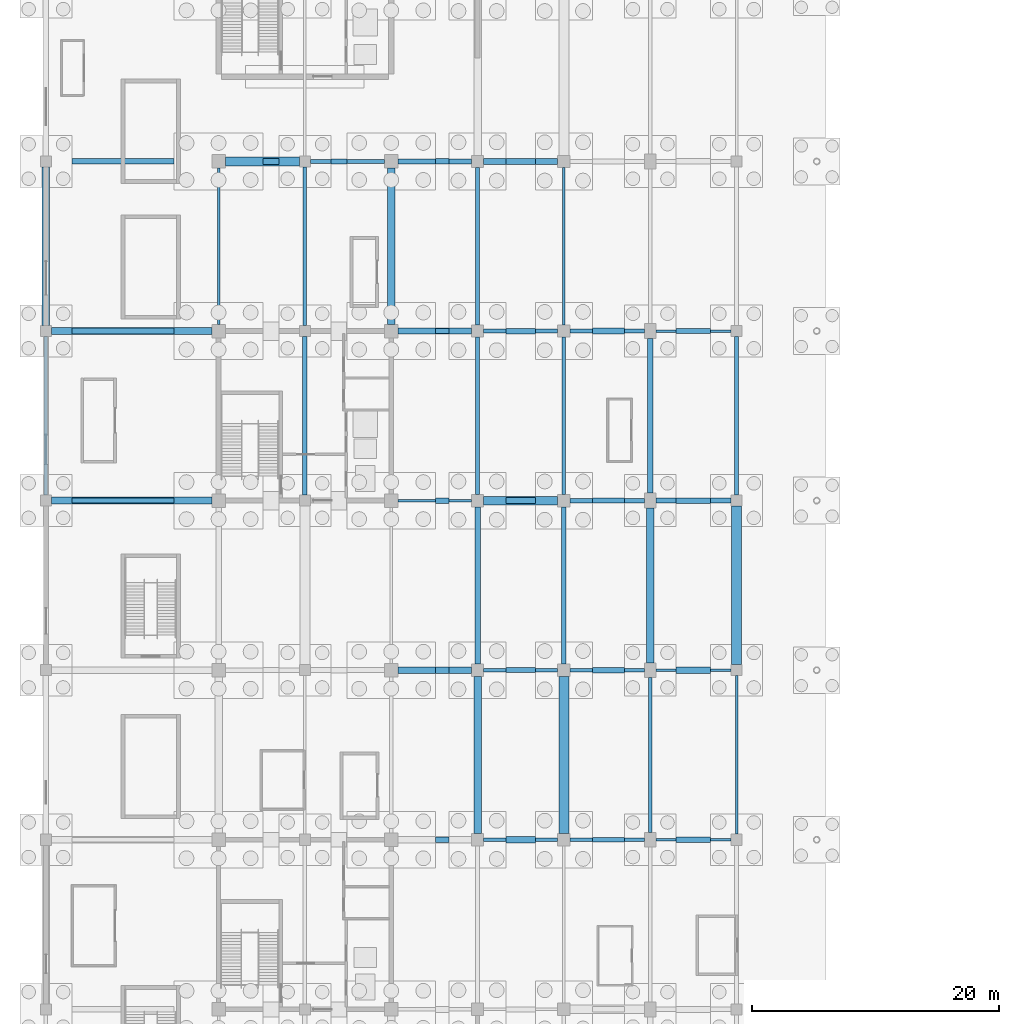
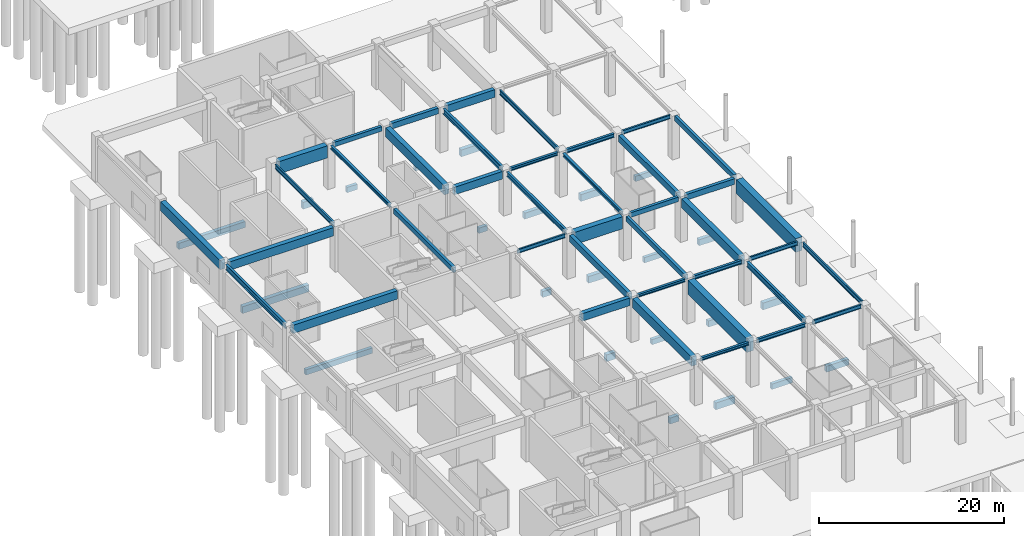
# One storey, part 31 of 62: 64 beams.
"""IFC4 building model written with IfcOpenShell, lengths in metres."""

from ifc_helpers import new_model, si_unit, direction, frame, origin, origin_2d, place, context, subcontext, project, spatial, rectangle, i_section, extrude, material, material_profile, profile_set, type_object, element, save


model = new_model("IFC4")

# Units and contexts
model_context = context("Model", 3, precision=1e-05, world=origin(), true_north=direction((0.0, 1.0)))
body_context = subcontext(model_context, "Body", "Model", "MODEL_VIEW")
ifc_project = project(units=[si_unit("LENGTHUNIT", "METRE"), si_unit("AREAUNIT", "SQUARE_METRE"), si_unit("VOLUMEUNIT", "CUBIC_METRE"), si_unit("PLANEANGLEUNIT", "RADIAN"), si_unit("MASSUNIT", "GRAM", prefix="KILO")], contexts=[model_context])

# Site, building, storey
site_placement = place(None, origin())
site = spatial("IfcSite", under=ifc_project, at=site_placement, CompositionType="ELEMENT")
building_placement = place(site_placement, origin())
building = spatial("IfcBuilding", under=site, at=building_placement, Name="Linyun Crest Stadium", CompositionType="ELEMENT")
storey_placement = place(building_placement, frame((0.0, 0.0, -6.0)))
storey = spatial("IfcBuildingStorey", under=building, at=storey_placement, Name="B1", CompositionType="ELEMENT", Elevation=-6.0)

# Beams
ifc_material_1 = material(Name="Concrete C40", Category="concrete")
ifc_material_profile_1 = material_profile(ifc_material_1, rectangle(XDim=0.35009765625, YDim=0.60009765625, at=origin_2d()), Name="RCB 600x350")
ifc_profile_set_1 = profile_set([ifc_material_profile_1], Name="Concrete C40")
beam_type_1 = type_object("IfcBeamType", Name="B01", PredefinedType="BEAM", material=ifc_profile_set_1)
beam_1_placement = place(storey_placement, frame((-55.5, 2.125, 5.449951171875), z_axis=(1.0, 0.0, 0.0), x_axis=(0.0, 1.0, 0.0)))
element("IfcBeam", 1, at=beam_1_placement, inside=storey, type_object=beam_type_1, Name="Frame beam B01 B1 27", PredefinedType="BEAM", context=body_context, shape_type="SweptSolid", body=[
    extrude(rectangle(XDim=0.35009765625, YDim=0.60009765625, at=origin_2d()), origin(), (0.0, 0.0, 1.0), 6.050048828125),
])
beam_2_placement = place(storey_placement, frame((-76.550048828125, 29.625, 5.449951171875), z_axis=(1.0, 0.0, 0.0), x_axis=(0.0, 1.0, 0.0)))
element("IfcBeam", 2, at=beam_2_placement, inside=storey, type_object=beam_type_1, Name="Frame beam B01 B1 35", PredefinedType="BEAM", context=body_context, shape_type="SweptSolid", body=[
    extrude(rectangle(XDim=0.35009765625, YDim=0.60009765625, at=origin_2d()), origin(), (0.0, 0.0, 1.0), 6.0),
])
ifc_material_2 = material(Name="Concrete C40", Category="concrete")
ifc_material_profile_2 = material_profile(ifc_material_2, rectangle(XDim=0.35009765625, YDim=0.64990234375, at=origin_2d()), Name="RCB 650x350")
ifc_profile_set_2 = profile_set([ifc_material_profile_2], Name="Concrete C40")
beam_type_2 = type_object("IfcBeamType", Name="B02", PredefinedType="BEAM", material=ifc_profile_set_2)
beam_3_placement = place(storey_placement, frame((-77.0, 2.574951171875, 5.425048828125), z_axis=(0.0, 1.0, 0.0), x_axis=(-1.0, 0.0, 0.0)))
element("IfcBeam", 3, at=beam_3_placement, inside=storey, type_object=beam_type_2, Name="Frame beam B02 B1 61", PredefinedType="BEAM", context=body_context, shape_type="SweptSolid", body=[
    extrude(rectangle(XDim=0.35009765625, YDim=0.64990234375, at=origin_2d()), origin(), (0.0, 0.0, 1.0), 12.85009765625),
])
beam_4_placement = place(storey_placement, frame((-56.0, -11.125, 5.425048828125), z_axis=(0.0, 1.0, 0.0), x_axis=(-1.0, 0.0, 0.0)))
element("IfcBeam", 4, at=beam_4_placement, inside=storey, type_object=beam_type_2, Name="Frame beam B02 B1 78", PredefinedType="BEAM", context=body_context, shape_type="SweptSolid", body=[
    extrude(rectangle(XDim=0.35009765625, YDim=0.64990234375, at=origin_2d()), origin(), (0.0, 0.0, 1.0), 12.75),
])
beam_5_placement = place(storey_placement, frame((-42.0, 2.574951171875, 5.425048828125), z_axis=(0.0, 1.0, 0.0), x_axis=(-1.0, 0.0, 0.0)))
element("IfcBeam", 5, at=beam_5_placement, inside=storey, type_object=beam_type_2, Name="Frame beam B02 B1 93", PredefinedType="BEAM", context=body_context, shape_type="SweptSolid", body=[
    extrude(rectangle(XDim=0.35009765625, YDim=0.64990234375, at=origin_2d()), origin(), (0.0, 0.0, 1.0), 12.85009765625),
])
ifc_material_3 = material(Name="Concrete C40", Category="concrete")
ifc_material_profile_3 = material_profile(ifc_material_3, rectangle(XDim=0.39990234375, YDim=0.75, at=origin_2d()), Name="RCB 750x400")
ifc_profile_set_3 = profile_set([ifc_material_profile_3], Name="Concrete C40")
beam_type_3 = type_object("IfcBeamType", Name="B03", PredefinedType="BEAM", material=ifc_profile_set_3)
beam_6_placement = place(storey_placement, frame((-48.550048828125, 2.125, 5.375), z_axis=(1.0, 0.0, 0.0), x_axis=(0.0, 1.0, 0.0)))
element("IfcBeam", 6, at=beam_6_placement, inside=storey, type_object=beam_type_3, Name="Frame beam B03 B1 28", PredefinedType="BEAM", context=body_context, shape_type="SweptSolid", body=[
    extrude(rectangle(XDim=0.39990234375, YDim=0.75, at=origin_2d()), origin(), (0.0, 0.0, 1.0), 6.10009765625),
])
beam_7_placement = place(storey_placement, frame((-69.449951171875, 29.625, 5.375), z_axis=(1.0, 0.0, 0.0), x_axis=(0.0, 1.0, 0.0)))
element("IfcBeam", 7, at=beam_7_placement, inside=storey, type_object=beam_type_3, Name="Frame beam B03 B1 36", PredefinedType="BEAM", context=body_context, shape_type="SweptSolid", body=[
    extrude(rectangle(XDim=0.39990234375, YDim=0.75, at=origin_2d()), origin(), (0.0, 0.0, 1.0), 5.949951171875),
])
ifc_material_4 = material(Name="Concrete C40", Category="concrete")
ifc_material_profile_4 = material_profile(ifc_material_4, rectangle(XDim=0.449951171875, YDim=0.85009765625, at=origin_2d()), Name="RCB 850x450")
ifc_profile_set_4 = profile_set([ifc_material_profile_4], Name="Concrete C40")
beam_type_4 = type_object("IfcBeamType", Name="B04", PredefinedType="BEAM", material=ifc_profile_set_4)
beam_8_placement = place(storey_placement, frame((-63.0, -11.125, 5.324951171875), z_axis=(0.0, 1.0, 0.0), x_axis=(-1.0, 0.0, 0.0)))
element("IfcBeam", 8, at=beam_8_placement, inside=storey, type_object=beam_type_4, Name="Frame beam B04 B1 71", PredefinedType="BEAM", context=body_context, shape_type="SweptSolid", body=[
    extrude(rectangle(XDim=0.449951171875, YDim=0.85009765625, at=origin_2d()), origin(), (0.0, 0.0, 1.0), 12.75),
])
beam_9_placement = place(storey_placement, frame((-49.0, 2.72509765625, 5.324951171875), z_axis=(0.0, 1.0, 0.0), x_axis=(-1.0, 0.0, 0.0)))
element("IfcBeam", 9, at=beam_9_placement, inside=storey, type_object=beam_type_4, Name="Frame beam B04 B1 86", PredefinedType="BEAM", context=body_context, shape_type="SweptSolid", body=[
    extrude(rectangle(XDim=0.449951171875, YDim=0.85009765625, at=origin_2d()), origin(), (0.0, 0.0, 1.0), 12.5498046875),
])
ifc_material_5 = material(Name="Concrete C40", Category="concrete")
ifc_material_profile_5 = material_profile(ifc_material_5, rectangle(XDim=0.5, YDim=1.0, at=origin_2d()), Name="RCB 1000x500")
ifc_profile_set_5 = profile_set([ifc_material_profile_5], Name="Concrete C40")
beam_type_5 = type_object("IfcBeamType", Name="B05", PredefinedType="BEAM", material=ifc_profile_set_5)
for number, where, z_axis, x_axis, name in (
    (10, (-69.449951171875, -11.625, 5.25), (1.0, 0.0, 0.0), (0.0, 1.0, 0.0), "Frame beam B05 B1 20"),
    (11, (-69.449951171875, 15.875, 5.25), (1.0, 0.0, 0.0), (0.0, 1.0, 0.0), "Frame beam B05 B1 30"),
):
    element("IfcBeam", number, at=place(storey_placement, frame(where, z_axis=z_axis, x_axis=x_axis)), inside=storey, type_object=beam_type_5, Name=name, PredefinedType="BEAM", context=body_context, shape_type="SweptSolid", body=[
        extrude(rectangle(XDim=0.5, YDim=1.0, at=origin_2d()), origin(), (0.0, 0.0, 1.0), 5.949951171875),
    ])
beam_10_placement = place(storey_placement, frame((-62.5, 29.625, 5.25), z_axis=(1.0, 0.0, 0.0), x_axis=(0.0, 1.0, 0.0)))
element("IfcBeam", 12, at=beam_10_placement, inside=storey, type_object=beam_type_5, Name="Frame beam B05 B1 37", PredefinedType="BEAM", context=body_context, shape_type="SweptSolid", body=[
    extrude(rectangle(XDim=0.5, YDim=1.0, at=origin_2d()), origin(), (0.0, 0.0, 1.0), 6.0),
])
ifc_material_6 = material(Name="Steel Q355C", Category="steel")
ifc_material_profile_6 = material_profile(ifc_material_6, i_section(OverallWidth=0.300048828125, OverallDepth=0.389892578125, WebThickness=0.010009765625, FlangeThickness=0.01611328125, at=origin_2d()), Name="HM 390x300")
ifc_profile_set_6 = profile_set([ifc_material_profile_6], Name="Steel Q355C")
beam_type_6 = type_object("IfcBeamType", Name="B06", PredefinedType="BEAM", material=ifc_profile_set_6)
for number, where, z_axis, x_axis, name in (
    (13, (-62.5, -25.375, 5.554931640625), (1.0, 0.0, 0.0), (0.0, 1.0, 0.0), "Frame beam B06 B1 14"),
    (14, (-62.5, -11.625, 5.554931640625), (1.0, 0.0, 0.0), (0.0, 1.0, 0.0), "Frame beam B06 B1 21"),
    (15, (-62.5, 15.875, 5.554931640625), (1.0, 0.0, 0.0), (0.0, 1.0, 0.0), "Frame beam B06 B1 31"),
):
    element("IfcBeam", number, at=place(storey_placement, frame(where, z_axis=z_axis, x_axis=x_axis)), inside=storey, type_object=beam_type_6, Name=name, PredefinedType="BEAM", context=body_context, shape_type="SweptSolid", body=[
        extrude(i_section(OverallWidth=0.300048828125, OverallDepth=0.389892578125, WebThickness=0.010009765625, FlangeThickness=0.01611328125, at=origin_2d()), origin(), (0.0, 0.0, 1.0), 6.0),
    ])
ifc_material_7 = material(Name="Steel Q355C", Category="steel")
ifc_material_profile_7 = material_profile(ifc_material_7, i_section(OverallWidth=0.300048828125, OverallDepth=0.43994140625, WebThickness=0.010986328125, FlangeThickness=0.01806640625, at=origin_2d()), Name="HM 440x300")
ifc_profile_set_7 = profile_set([ifc_material_profile_7], Name="Steel Q355C")
beam_type_7 = type_object("IfcBeamType", Name="B07", PredefinedType="BEAM", material=ifc_profile_set_7)
beam_11_placement = place(storey_placement, frame((-77.0, 16.324951171875, 5.530029296875), z_axis=(0.0, 1.0, 0.0), x_axis=(-1.0, 0.0, 0.0)))
element("IfcBeam", 16, at=beam_11_placement, inside=storey, type_object=beam_type_7, Name="Frame beam B07 B1 62", PredefinedType="BEAM", context=body_context, shape_type="SweptSolid", body=[
    extrude(i_section(OverallWidth=0.300048828125, OverallDepth=0.43994140625, WebThickness=0.010986328125, FlangeThickness=0.01806640625, at=origin_2d()), origin(), (0.0, 0.0, 1.0), 12.85009765625),
])
beam_12_placement = place(storey_placement, frame((-56.0, 2.625, 5.530029296875), z_axis=(0.0, 1.0, 0.0), x_axis=(-1.0, 0.0, 0.0)))
element("IfcBeam", 17, at=beam_12_placement, inside=storey, type_object=beam_type_7, Name="Frame beam B07 B1 79", PredefinedType="BEAM", context=body_context, shape_type="SweptSolid", body=[
    extrude(i_section(OverallWidth=0.300048828125, OverallDepth=0.43994140625, WebThickness=0.010986328125, FlangeThickness=0.01806640625, at=origin_2d()), origin(), (0.0, 0.0, 1.0), 12.75),
])
ifc_material_8 = material(Name="Steel Q355C", Category="steel")
ifc_material_profile_8 = material_profile(ifc_material_8, i_section(OverallWidth=0.300048828125, OverallDepth=0.488037109375, WebThickness=0.010986328125, FlangeThickness=0.01806640625, at=origin_2d()), Name="HM 488x300")
ifc_profile_set_8 = profile_set([ifc_material_profile_8], Name="Steel Q355C")
beam_type_8 = type_object("IfcBeamType", Name="B08", PredefinedType="BEAM", material=ifc_profile_set_8)
for number, where, z_axis, x_axis, name in (
    (18, (-55.5, -25.375, 5.506103515625), (1.0, 0.0, 0.0), (0.0, 1.0, 0.0), "Frame beam B08 B1 15"),
    (19, (-55.5, -11.625, 5.506103515625), (1.0, 0.0, 0.0), (0.0, 1.0, 0.0), "Frame beam B08 B1 22"),
    (20, (-55.5, 15.875, 5.506103515625), (1.0, 0.0, 0.0), (0.0, 1.0, 0.0), "Frame beam B08 B1 32"),
):
    element("IfcBeam", number, at=place(storey_placement, frame(where, z_axis=z_axis, x_axis=x_axis)), inside=storey, type_object=beam_type_8, Name=name, PredefinedType="BEAM", context=body_context, shape_type="SweptSolid", body=[
        extrude(i_section(OverallWidth=0.300048828125, OverallDepth=0.488037109375, WebThickness=0.010986328125, FlangeThickness=0.01806640625, at=origin_2d()), origin(), (0.0, 0.0, 1.0), 6.050048828125),
    ])
ifc_material_9 = material(Name="Steel Q355C", Category="steel")
ifc_material_profile_9 = material_profile(ifc_material_9, i_section(OverallWidth=0.300048828125, OverallDepth=0.587890625, WebThickness=0.011962890625, FlangeThickness=0.02001953125, at=origin_2d()), Name="HM 588x300")
ifc_profile_set_9 = profile_set([ifc_material_profile_9], Name="Steel Q355C")
beam_type_9 = type_object("IfcBeamType", Name="B09", PredefinedType="BEAM", material=ifc_profile_set_9)
beam_13_placement = place(storey_placement, frame((-63.0, 2.625, 5.4560546875), z_axis=(0.0, 1.0, 0.0), x_axis=(-1.0, 0.0, 0.0)))
element("IfcBeam", 21, at=beam_13_placement, inside=storey, type_object=beam_type_9, Name="Frame beam B09 B1 72", PredefinedType="BEAM", context=body_context, shape_type="SweptSolid", body=[
    extrude(i_section(OverallWidth=0.300048828125, OverallDepth=0.587890625, WebThickness=0.011962890625, FlangeThickness=0.02001953125, at=origin_2d()), origin(), (0.0, 0.0, 1.0), 12.75),
])
ifc_material_10 = material(Name="Steel Q355C", Category="steel")
ifc_material_profile_10 = material_profile(ifc_material_10, i_section(OverallWidth=0.199951171875, OverallDepth=0.5, WebThickness=0.010009765625, FlangeThickness=0.01611328125, at=origin_2d()), Name="HN 500x200")
ifc_profile_set_10 = profile_set([ifc_material_profile_10], Name="Steel Q355C")
beam_type_10 = type_object("IfcBeamType", Name="B10", PredefinedType="BEAM", material=ifc_profile_set_10)
for number, where, z_axis, x_axis, name in (
    (22, (-48.550048828125, -25.375, 5.5), (1.0, 0.0, 0.0), (0.0, 1.0, 0.0), "Frame beam B10 B1 16"),
    (23, (-48.550048828125, -11.625, 5.5), (1.0, 0.0, 0.0), (0.0, 1.0, 0.0), "Frame beam B10 B1 23"),
):
    element("IfcBeam", number, at=place(storey_placement, frame(where, z_axis=z_axis, x_axis=x_axis)), inside=storey, type_object=beam_type_10, Name=name, PredefinedType="BEAM", context=body_context, shape_type="SweptSolid", body=[
        extrude(i_section(OverallWidth=0.199951171875, OverallDepth=0.5, WebThickness=0.010009765625, FlangeThickness=0.01611328125, at=origin_2d()), origin(), (0.0, 0.0, 1.0), 6.10009765625),
    ])
beam_14_placement = place(storey_placement, frame((-69.449951171875, 2.125, 5.5), z_axis=(1.0, 0.0, 0.0), x_axis=(0.0, 1.0, 0.0)))
element("IfcBeam", 24, at=beam_14_placement, inside=storey, type_object=beam_type_10, Name="Frame beam B10 B1 25", PredefinedType="BEAM", context=body_context, shape_type="SweptSolid", body=[
    extrude(i_section(OverallWidth=0.199951171875, OverallDepth=0.5, WebThickness=0.010009765625, FlangeThickness=0.01611328125, at=origin_2d()), origin(), (0.0, 0.0, 1.0), 5.949951171875),
])
beam_15_placement = place(storey_placement, frame((-48.550048828125, 15.875, 5.5), z_axis=(1.0, 0.0, 0.0), x_axis=(0.0, 1.0, 0.0)))
element("IfcBeam", 25, at=beam_15_placement, inside=storey, type_object=beam_type_10, Name="Frame beam B10 B1 33", PredefinedType="BEAM", context=body_context, shape_type="SweptSolid", body=[
    extrude(i_section(OverallWidth=0.199951171875, OverallDepth=0.5, WebThickness=0.010009765625, FlangeThickness=0.01611328125, at=origin_2d()), origin(), (0.0, 0.0, 1.0), 6.10009765625),
])
ifc_material_11 = material(Name="Steel Q355C", Category="steel")
ifc_material_profile_11 = material_profile(ifc_material_11, i_section(OverallWidth=0.199951171875, OverallDepth=0.60009765625, WebThickness=0.010986328125, FlangeThickness=0.01708984375, at=origin_2d()), Name="HN 600x200")
ifc_profile_set_11 = profile_set([ifc_material_profile_11], Name="Steel Q355C")
beam_type_11 = type_object("IfcBeamType", Name="B11", PredefinedType="BEAM", material=ifc_profile_set_11)
beam_16_placement = place(storey_placement, frame((-84.0, 16.425048828125, 5.449951171875), z_axis=(0.0, 1.0, 0.0), x_axis=(-1.0, 0.0, 0.0)))
element("IfcBeam", 26, at=beam_16_placement, inside=storey, type_object=beam_type_11, Name="Frame beam B11 B1 56", PredefinedType="BEAM", context=body_context, shape_type="SweptSolid", body=[
    extrude(i_section(OverallWidth=0.199951171875, OverallDepth=0.60009765625, WebThickness=0.010986328125, FlangeThickness=0.01708984375, at=origin_2d()), origin(), (0.0, 0.0, 1.0), 12.64990234375),
])
beam_17_placement = place(storey_placement, frame((-56.0, 16.375, 5.449951171875), z_axis=(0.0, 1.0, 0.0), x_axis=(-1.0, 0.0, 0.0)))
element("IfcBeam", 27, at=beam_17_placement, inside=storey, type_object=beam_type_11, Name="Frame beam B11 B1 80", PredefinedType="BEAM", context=body_context, shape_type="SweptSolid", body=[
    extrude(i_section(OverallWidth=0.199951171875, OverallDepth=0.60009765625, WebThickness=0.010986328125, FlangeThickness=0.01708984375, at=origin_2d()), origin(), (0.0, 0.0, 1.0), 12.75),
])
beam_18_placement = place(storey_placement, frame((-42.0, -24.925048828125, 5.449951171875), z_axis=(0.0, 1.0, 0.0), x_axis=(-1.0, 0.0, 0.0)))
element("IfcBeam", 28, at=beam_18_placement, inside=storey, type_object=beam_type_11, Name="Frame beam B11 B1 91", PredefinedType="BEAM", context=body_context, shape_type="SweptSolid", body=[
    extrude(i_section(OverallWidth=0.199951171875, OverallDepth=0.60009765625, WebThickness=0.010986328125, FlangeThickness=0.01708984375, at=origin_2d()), origin(), (0.0, 0.0, 1.0), 12.85009765625),
])
ifc_material_12 = material(Name="Steel Q355C", Category="steel")
ifc_material_profile_12 = material_profile(ifc_material_12, i_section(OverallWidth=0.300048828125, OverallDepth=0.699951171875, WebThickness=0.012939453125, FlangeThickness=0.02392578125, at=origin_2d()), Name="HN 700x300")
ifc_profile_set_12 = profile_set([ifc_material_profile_12], Name="Steel Q355C")
beam_type_12 = type_object("IfcBeamType", Name="B12", PredefinedType="BEAM", material=ifc_profile_set_12)
beam_19_placement = place(storey_placement, frame((-98.0, 2.574951171875, 5.39990234375), z_axis=(0.0, 1.0, 0.0), x_axis=(-1.0, 0.0, 0.0)))
element("IfcBeam", 29, at=beam_19_placement, inside=storey, type_object=beam_type_12, Name="Frame beam B12 B1 50", PredefinedType="BEAM", context=body_context, shape_type="SweptSolid", body=[
    extrude(i_section(OverallWidth=0.300048828125, OverallDepth=0.699951171875, WebThickness=0.012939453125, FlangeThickness=0.02392578125, at=origin_2d()), origin(), (0.0, 0.0, 1.0), 12.85009765625),
])
beam_20_placement = place(storey_placement, frame((-63.0, 16.375, 5.39990234375), z_axis=(0.0, 1.0, 0.0), x_axis=(-1.0, 0.0, 0.0)))
element("IfcBeam", 30, at=beam_20_placement, inside=storey, type_object=beam_type_12, Name="Frame beam B12 B1 73", PredefinedType="BEAM", context=body_context, shape_type="SweptSolid", body=[
    extrude(i_section(OverallWidth=0.300048828125, OverallDepth=0.699951171875, WebThickness=0.012939453125, FlangeThickness=0.02392578125, at=origin_2d()), origin(), (0.0, 0.0, 1.0), 12.75),
])
beam_21_placement = place(storey_placement, frame((-49.0, -24.77490234375, 5.39990234375), z_axis=(0.0, 1.0, 0.0), x_axis=(-1.0, 0.0, 0.0)))
element("IfcBeam", 31, at=beam_21_placement, inside=storey, type_object=beam_type_12, Name="Frame beam B12 B1 84", PredefinedType="BEAM", context=body_context, shape_type="SweptSolid", body=[
    extrude(i_section(OverallWidth=0.300048828125, OverallDepth=0.699951171875, WebThickness=0.012939453125, FlangeThickness=0.02392578125, at=origin_2d()), origin(), (0.0, 0.0, 1.0), 12.5498046875),
])
ifc_material_13 = material(Name="Concrete C50", Category="concrete")
ifc_material_profile_13 = material_profile(ifc_material_13, rectangle(XDim=0.699951171875, YDim=1.60009765625, at=origin_2d()), Name="RCB 1600x700")
ifc_profile_set_13 = profile_set([ifc_material_profile_13], Name="Concrete C50")
beam_type_13 = type_object("IfcBeamType", Name="B13", PredefinedType="BEAM", material=ifc_profile_set_13)
for number, where, z_axis, x_axis, name in (
    (32, (-62.5, 2.125, 4.949951171875), (1.0, 0.0, 0.0), (0.0, 1.0, 0.0), "Frame beam B13 B1 26"),
    (33, (-83.449951171875, 29.625, 4.949951171875), (1.0, 0.0, 0.0), (0.0, 1.0, 0.0), "Frame beam B13 B1 34"),
):
    element("IfcBeam", number, at=place(storey_placement, frame(where, z_axis=z_axis, x_axis=x_axis)), inside=storey, type_object=beam_type_13, Name=name, PredefinedType="BEAM", context=body_context, shape_type="SweptSolid", body=[
        extrude(rectangle(XDim=0.699951171875, YDim=1.60009765625, at=origin_2d()), origin(), (0.0, 0.0, 1.0), 6.0),
    ])
ifc_material_14 = material(Name="Concrete C50", Category="concrete")
ifc_material_profile_14 = material_profile(ifc_material_14, rectangle(XDim=0.800048828125, YDim=1.800048828125, at=origin_2d()), Name="RCB 1800x800")
ifc_profile_set_14 = profile_set([ifc_material_profile_14], Name="Concrete C50")
beam_type_14 = type_object("IfcBeamType", Name="B14", PredefinedType="BEAM", material=ifc_profile_set_14)
beam_22_placement = place(storey_placement, frame((-56.0, -24.875, 4.85009765625), z_axis=(0.0, 1.0, 0.0), x_axis=(-1.0, 0.0, 0.0)))
element("IfcBeam", 34, at=beam_22_placement, inside=storey, type_object=beam_type_14, Name="Frame beam B14 B1 77", PredefinedType="BEAM", context=body_context, shape_type="SweptSolid", body=[
    extrude(rectangle(XDim=0.800048828125, YDim=1.800048828125, at=origin_2d()), origin(), (0.0, 0.0, 1.0), 12.75),
])
beam_23_placement = place(storey_placement, frame((-42.0, -11.175048828125, 4.85009765625), z_axis=(0.0, 1.0, 0.0), x_axis=(-1.0, 0.0, 0.0)))
element("IfcBeam", 35, at=beam_23_placement, inside=storey, type_object=beam_type_14, Name="Frame beam B14 B1 92", PredefinedType="BEAM", context=body_context, shape_type="SweptSolid", body=[
    extrude(rectangle(XDim=0.800048828125, YDim=1.800048828125, at=origin_2d()), origin(), (0.0, 0.0, 1.0), 12.85009765625),
])
ifc_material_15 = material(Name="Concrete C40", Category="concrete")
ifc_material_profile_15 = material_profile(ifc_material_15, rectangle(XDim=0.39990234375, YDim=0.699951171875, at=origin_2d()), Name="RCB 700x400")
ifc_profile_set_15 = profile_set([ifc_material_profile_15], Name="Concrete C40")
beam_type_15 = type_object("IfcBeamType", Name="GB01", PredefinedType="BEAM", material=ifc_profile_set_15)
beam_24_placement = place(storey_placement, frame((-53.696044921875, -25.375, -1.10009765625), z_axis=(1.0, 0.0, 0.0), x_axis=(0.0, 1.0, 0.0)))
element("IfcBeam", 36, at=beam_24_placement, inside=storey, type_object=beam_type_15, Name="Ground beam GB01 16", PredefinedType="BEAM", context=body_context, shape_type="SweptSolid", body=[
    extrude(rectangle(XDim=0.39990234375, YDim=0.699951171875, at=origin_2d()), origin(), (0.0, 0.0, 1.0), 2.592041015625),
])
beam_25_placement = place(storey_placement, frame((-60.696044921875, -11.625, -1.10009765625), z_axis=(1.0, 0.0, 0.0), x_axis=(0.0, 1.0, 0.0)))
element("IfcBeam", 37, at=beam_25_placement, inside=storey, type_object=beam_type_15, Name="Ground beam GB01 22", PredefinedType="BEAM", context=body_context, shape_type="SweptSolid", body=[
    extrude(rectangle(XDim=0.39990234375, YDim=0.699951171875, at=origin_2d()), origin(), (0.0, 0.0, 1.0), 2.39208984375),
])
beam_26_placement = place(storey_placement, frame((-95.89599609375, 2.125, -1.10009765625), z_axis=(1.0, 0.0, 0.0), x_axis=(0.0, 1.0, 0.0)))
element("IfcBeam", 38, at=beam_26_placement, inside=storey, type_object=beam_type_15, Name="Ground beam GB01 25", PredefinedType="BEAM", context=body_context, shape_type="SweptSolid", body=[
    extrude(rectangle(XDim=0.39990234375, YDim=0.699951171875, at=origin_2d()), origin(), (0.0, 0.0, 1.0), 8.2919921875),
])
beam_27_placement = place(storey_placement, frame((-53.696044921875, 2.125, -1.10009765625), z_axis=(1.0, 0.0, 0.0), x_axis=(0.0, 1.0, 0.0)))
element("IfcBeam", 39, at=beam_27_placement, inside=storey, type_object=beam_type_15, Name="Ground beam GB01 28", PredefinedType="BEAM", context=body_context, shape_type="SweptSolid", body=[
    extrude(rectangle(XDim=0.39990234375, YDim=0.699951171875, at=origin_2d()), origin(), (0.0, 0.0, 1.0), 2.592041015625),
])
beam_28_placement = place(storey_placement, frame((-66.39599609375, 15.875, -1.10009765625), z_axis=(1.0, 0.0, 0.0), x_axis=(0.0, 1.0, 0.0)))
element("IfcBeam", 40, at=beam_28_placement, inside=storey, type_object=beam_type_15, Name="Ground beam GB01 31", PredefinedType="BEAM", context=body_context, shape_type="SweptSolid", body=[
    extrude(rectangle(XDim=0.39990234375, YDim=0.699951171875, at=origin_2d()), origin(), (0.0, 0.0, 1.0), 1.092041015625),
])
beam_29_placement = place(storey_placement, frame((-46.89599609375, 15.875, -1.10009765625), z_axis=(1.0, 0.0, 0.0), x_axis=(0.0, 1.0, 0.0)))
element("IfcBeam", 41, at=beam_29_placement, inside=storey, type_object=beam_type_15, Name="Ground beam GB01 34", PredefinedType="BEAM", context=body_context, shape_type="SweptSolid", body=[
    extrude(rectangle(XDim=0.39990234375, YDim=0.699951171875, at=origin_2d()), origin(), (0.0, 0.0, 1.0), 2.7919921875),
])
beam_30_placement = place(storey_placement, frame((-74.89599609375, 29.625, -1.10009765625), z_axis=(1.0, 0.0, 0.0), x_axis=(0.0, 1.0, 0.0)))
element("IfcBeam", 42, at=beam_30_placement, inside=storey, type_object=beam_type_15, Name="Ground beam GB01 37", PredefinedType="BEAM", context=body_context, shape_type="SweptSolid", body=[
    extrude(rectangle(XDim=0.39990234375, YDim=0.699951171875, at=origin_2d()), origin(), (0.0, 0.0, 1.0), 1.2919921875),
])
ifc_material_16 = material(Name="Concrete C40", Category="concrete")
ifc_material_profile_16 = material_profile(ifc_material_16, rectangle(XDim=0.449951171875, YDim=0.800048828125, at=origin_2d()), Name="RCB 800x450")
ifc_profile_set_16 = profile_set([ifc_material_profile_16], Name="Concrete C40")
beam_type_16 = type_object("IfcBeamType", Name="GB02", PredefinedType="BEAM", material=ifc_profile_set_16)
beam_31_placement = place(storey_placement, frame((-66.39599609375, -25.375, -1.14990234375), z_axis=(1.0, 0.0, 0.0), x_axis=(0.0, 1.0, 0.0)))
element("IfcBeam", 43, at=beam_31_placement, inside=storey, type_object=beam_type_16, Name="Ground beam GB02 14", PredefinedType="BEAM", context=body_context, shape_type="SweptSolid", body=[
    extrude(rectangle(XDim=0.449951171875, YDim=0.800048828125, at=origin_2d()), origin(), (0.0, 0.0, 1.0), 1.092041015625),
])
beam_32_placement = place(storey_placement, frame((-46.89599609375, -25.375, -1.14990234375), z_axis=(1.0, 0.0, 0.0), x_axis=(0.0, 1.0, 0.0)))
element("IfcBeam", 44, at=beam_32_placement, inside=storey, type_object=beam_type_16, Name="Ground beam GB02 17", PredefinedType="BEAM", context=body_context, shape_type="SweptSolid", body=[
    extrude(rectangle(XDim=0.449951171875, YDim=0.800048828125, at=origin_2d()), origin(), (0.0, 0.0, 1.0), 2.7919921875),
])
beam_33_placement = place(storey_placement, frame((-53.696044921875, -11.625, -1.14990234375), z_axis=(1.0, 0.0, 0.0), x_axis=(0.0, 1.0, 0.0)))
element("IfcBeam", 45, at=beam_33_placement, inside=storey, type_object=beam_type_16, Name="Ground beam GB02 23", PredefinedType="BEAM", context=body_context, shape_type="SweptSolid", body=[
    extrude(rectangle(XDim=0.449951171875, YDim=0.800048828125, at=origin_2d()), origin(), (0.0, 0.0, 1.0), 2.592041015625),
])
beam_34_placement = place(storey_placement, frame((-66.39599609375, 2.125, -1.14990234375), z_axis=(1.0, 0.0, 0.0), x_axis=(0.0, 1.0, 0.0)))
element("IfcBeam", 46, at=beam_34_placement, inside=storey, type_object=beam_type_16, Name="Ground beam GB02 26", PredefinedType="BEAM", context=body_context, shape_type="SweptSolid", body=[
    extrude(rectangle(XDim=0.449951171875, YDim=0.800048828125, at=origin_2d()), origin(), (0.0, 0.0, 1.0), 1.092041015625),
])
beam_35_placement = place(storey_placement, frame((-46.89599609375, 2.125, -1.14990234375), z_axis=(1.0, 0.0, 0.0), x_axis=(0.0, 1.0, 0.0)))
element("IfcBeam", 47, at=beam_35_placement, inside=storey, type_object=beam_type_16, Name="Ground beam GB02 29", PredefinedType="BEAM", context=body_context, shape_type="SweptSolid", body=[
    extrude(rectangle(XDim=0.449951171875, YDim=0.800048828125, at=origin_2d()), origin(), (0.0, 0.0, 1.0), 2.7919921875),
])
beam_36_placement = place(storey_placement, frame((-60.696044921875, 15.875, -1.14990234375), z_axis=(1.0, 0.0, 0.0), x_axis=(0.0, 1.0, 0.0)))
element("IfcBeam", 48, at=beam_36_placement, inside=storey, type_object=beam_type_16, Name="Ground beam GB02 32", PredefinedType="BEAM", context=body_context, shape_type="SweptSolid", body=[
    extrude(rectangle(XDim=0.449951171875, YDim=0.800048828125, at=origin_2d()), origin(), (0.0, 0.0, 1.0), 2.39208984375),
])
beam_37_placement = place(storey_placement, frame((-95.89599609375, 29.625, -1.14990234375), z_axis=(1.0, 0.0, 0.0), x_axis=(0.0, 1.0, 0.0)))
element("IfcBeam", 49, at=beam_37_placement, inside=storey, type_object=beam_type_16, Name="Ground beam GB02 35", PredefinedType="BEAM", context=body_context, shape_type="SweptSolid", body=[
    extrude(rectangle(XDim=0.449951171875, YDim=0.800048828125, at=origin_2d()), origin(), (0.0, 0.0, 1.0), 8.2919921875),
])
beam_38_placement = place(storey_placement, frame((-66.39599609375, 29.625, -1.14990234375), z_axis=(1.0, 0.0, 0.0), x_axis=(0.0, 1.0, 0.0)))
element("IfcBeam", 50, at=beam_38_placement, inside=storey, type_object=beam_type_16, Name="Ground beam GB02 38", PredefinedType="BEAM", context=body_context, shape_type="SweptSolid", body=[
    extrude(rectangle(XDim=0.449951171875, YDim=0.800048828125, at=origin_2d()), origin(), (0.0, 0.0, 1.0), 1.092041015625),
])
ifc_material_17 = material(Name="Concrete C40", Category="concrete")
ifc_material_profile_17 = material_profile(ifc_material_17, rectangle(XDim=0.5, YDim=0.89990234375, at=origin_2d()), Name="RCB 900x500")
ifc_profile_set_17 = profile_set([ifc_material_profile_17], Name="Concrete C40")
beam_type_17 = type_object("IfcBeamType", Name="GB03", PredefinedType="BEAM", material=ifc_profile_set_17)
beam_39_placement = place(storey_placement, frame((-60.696044921875, -25.375, -1.199951171875), z_axis=(1.0, 0.0, 0.0), x_axis=(0.0, 1.0, 0.0)))
element("IfcBeam", 51, at=beam_39_placement, inside=storey, type_object=beam_type_17, Name="Ground beam GB03 15", PredefinedType="BEAM", context=body_context, shape_type="SweptSolid", body=[
    extrude(rectangle(XDim=0.5, YDim=0.89990234375, at=origin_2d()), origin(), (0.0, 0.0, 1.0), 2.39208984375),
])
beam_40_placement = place(storey_placement, frame((-66.39599609375, -11.625, -1.199951171875), z_axis=(1.0, 0.0, 0.0), x_axis=(0.0, 1.0, 0.0)))
element("IfcBeam", 52, at=beam_40_placement, inside=storey, type_object=beam_type_17, Name="Ground beam GB03 21", PredefinedType="BEAM", context=body_context, shape_type="SweptSolid", body=[
    extrude(rectangle(XDim=0.5, YDim=0.89990234375, at=origin_2d()), origin(), (0.0, 0.0, 1.0), 1.092041015625),
])
beam_41_placement = place(storey_placement, frame((-46.89599609375, -11.625, -1.199951171875), z_axis=(1.0, 0.0, 0.0), x_axis=(0.0, 1.0, 0.0)))
element("IfcBeam", 53, at=beam_41_placement, inside=storey, type_object=beam_type_17, Name="Ground beam GB03 24", PredefinedType="BEAM", context=body_context, shape_type="SweptSolid", body=[
    extrude(rectangle(XDim=0.5, YDim=0.89990234375, at=origin_2d()), origin(), (0.0, 0.0, 1.0), 2.7919921875),
])
beam_42_placement = place(storey_placement, frame((-60.696044921875, 2.125, -1.199951171875), z_axis=(1.0, 0.0, 0.0), x_axis=(0.0, 1.0, 0.0)))
element("IfcBeam", 54, at=beam_42_placement, inside=storey, type_object=beam_type_17, Name="Ground beam GB03 27", PredefinedType="BEAM", context=body_context, shape_type="SweptSolid", body=[
    extrude(rectangle(XDim=0.5, YDim=0.89990234375, at=origin_2d()), origin(), (0.0, 0.0, 1.0), 2.39208984375),
])
beam_43_placement = place(storey_placement, frame((-95.89599609375, 15.875, -1.199951171875), z_axis=(1.0, 0.0, 0.0), x_axis=(0.0, 1.0, 0.0)))
element("IfcBeam", 55, at=beam_43_placement, inside=storey, type_object=beam_type_17, Name="Ground beam GB03 30", PredefinedType="BEAM", context=body_context, shape_type="SweptSolid", body=[
    extrude(rectangle(XDim=0.5, YDim=0.89990234375, at=origin_2d()), origin(), (0.0, 0.0, 1.0), 8.2919921875),
])
beam_44_placement = place(storey_placement, frame((-53.696044921875, 15.875, -1.199951171875), z_axis=(1.0, 0.0, 0.0), x_axis=(0.0, 1.0, 0.0)))
element("IfcBeam", 56, at=beam_44_placement, inside=storey, type_object=beam_type_17, Name="Ground beam GB03 33", PredefinedType="BEAM", context=body_context, shape_type="SweptSolid", body=[
    extrude(rectangle(XDim=0.5, YDim=0.89990234375, at=origin_2d()), origin(), (0.0, 0.0, 1.0), 2.592041015625),
])
beam_45_placement = place(storey_placement, frame((-80.39599609375, 29.625, -1.199951171875), z_axis=(1.0, 0.0, 0.0), x_axis=(0.0, 1.0, 0.0)))
element("IfcBeam", 57, at=beam_45_placement, inside=storey, type_object=beam_type_17, Name="Ground beam GB03 36", PredefinedType="BEAM", context=body_context, shape_type="SweptSolid", body=[
    extrude(rectangle(XDim=0.5, YDim=0.89990234375, at=origin_2d()), origin(), (0.0, 0.0, 1.0), 1.2919921875),
])
beam_46_placement = place(storey_placement, frame((-60.696044921875, 29.625, -1.199951171875), z_axis=(1.0, 0.0, 0.0), x_axis=(0.0, 1.0, 0.0)))
element("IfcBeam", 58, at=beam_46_placement, inside=storey, type_object=beam_type_17, Name="Ground beam GB03 39", PredefinedType="BEAM", context=body_context, shape_type="SweptSolid", body=[
    extrude(rectangle(XDim=0.5, YDim=0.89990234375, at=origin_2d()), origin(), (0.0, 0.0, 1.0), 2.39208984375),
])
ifc_material_18 = material(Name="Concrete C50", Category="concrete")
ifc_material_profile_18 = material_profile(ifc_material_18, rectangle(XDim=0.550048828125, YDim=1.10009765625, at=origin_2d()), Name="RCB 1100x550")
ifc_profile_set_18 = profile_set([ifc_material_profile_18], Name="Concrete C50")
beam_type_18 = type_object("IfcBeamType", Name="TB01", PredefinedType="USERDEFINED", material=ifc_profile_set_18)
for number, where, z_axis, x_axis, name in (
    (59, (-97.550048828125, 2.125, 5.199951171875), (1.0, 0.0, 0.0), (0.0, 1.0, 0.0), "Frame beam TB01 B1 24"),
    (60, (-97.550048828125, 15.875, 5.199951171875), (1.0, 0.0, 0.0), (0.0, 1.0, 0.0), "Frame beam TB01 B1 29"),
):
    element("IfcBeam", number, at=place(storey_placement, frame(where, z_axis=z_axis, x_axis=x_axis)), inside=storey, type_object=beam_type_18, Name=name, ObjectType="GIRDER", PredefinedType="USERDEFINED", context=body_context, shape_type="SweptSolid", body=[
        extrude(rectangle(XDim=0.550048828125, YDim=1.10009765625, at=origin_2d()), origin(), (0.0, 0.0, 1.0), 13.0),
    ])
ifc_material_19 = material(Name="Concrete C50", Category="concrete")
ifc_material_profile_19 = material_profile(ifc_material_19, rectangle(XDim=0.60009765625, YDim=1.199951171875, at=origin_2d()), Name="RCB 1200x600")
ifc_profile_set_19 = profile_set([ifc_material_profile_19], Name="Concrete C50")
beam_type_19 = type_object("IfcBeamType", Name="TB02", PredefinedType="USERDEFINED", material=ifc_profile_set_19)
beam_47_placement = place(storey_placement, frame((-98.0, 16.324951171875, 5.14990234375), z_axis=(0.0, 1.0, 0.0), x_axis=(-1.0, 0.0, 0.0)))
element("IfcBeam", 61, at=beam_47_placement, inside=storey, type_object=beam_type_19, Name="Frame beam TB02 B1 51", ObjectType="GIRDER", PredefinedType="USERDEFINED", context=body_context, shape_type="SweptSolid", body=[
    extrude(rectangle(XDim=0.60009765625, YDim=1.199951171875, at=origin_2d()), origin(), (0.0, 0.0, 1.0), 12.85009765625),
])
beam_48_placement = place(storey_placement, frame((-70.0, 16.425048828125, 5.14990234375), z_axis=(0.0, 1.0, 0.0), x_axis=(-1.0, 0.0, 0.0)))
element("IfcBeam", 62, at=beam_48_placement, inside=storey, type_object=beam_type_19, Name="Frame beam TB02 B1 67", ObjectType="GIRDER", PredefinedType="USERDEFINED", context=body_context, shape_type="SweptSolid", body=[
    extrude(rectangle(XDim=0.60009765625, YDim=1.199951171875, at=origin_2d()), origin(), (0.0, 0.0, 1.0), 12.64990234375),
])
beam_49_placement = place(storey_placement, frame((-63.0, -24.875, 5.14990234375), z_axis=(0.0, 1.0, 0.0), x_axis=(-1.0, 0.0, 0.0)))
element("IfcBeam", 63, at=beam_49_placement, inside=storey, type_object=beam_type_19, Name="Frame beam TB02 B1 70", ObjectType="GIRDER", PredefinedType="USERDEFINED", context=body_context, shape_type="SweptSolid", body=[
    extrude(rectangle(XDim=0.60009765625, YDim=1.199951171875, at=origin_2d()), origin(), (0.0, 0.0, 1.0), 12.75),
])
beam_50_placement = place(storey_placement, frame((-49.0, -11.02490234375, 5.14990234375), z_axis=(0.0, 1.0, 0.0), x_axis=(-1.0, 0.0, 0.0)))
element("IfcBeam", 64, at=beam_50_placement, inside=storey, type_object=beam_type_19, Name="Frame beam TB02 B1 85", ObjectType="GIRDER", PredefinedType="USERDEFINED", context=body_context, shape_type="SweptSolid", body=[
    extrude(rectangle(XDim=0.60009765625, YDim=1.199951171875, at=origin_2d()), origin(), (0.0, 0.0, 1.0), 12.5498046875),
])

save(model, "model.ifc")
